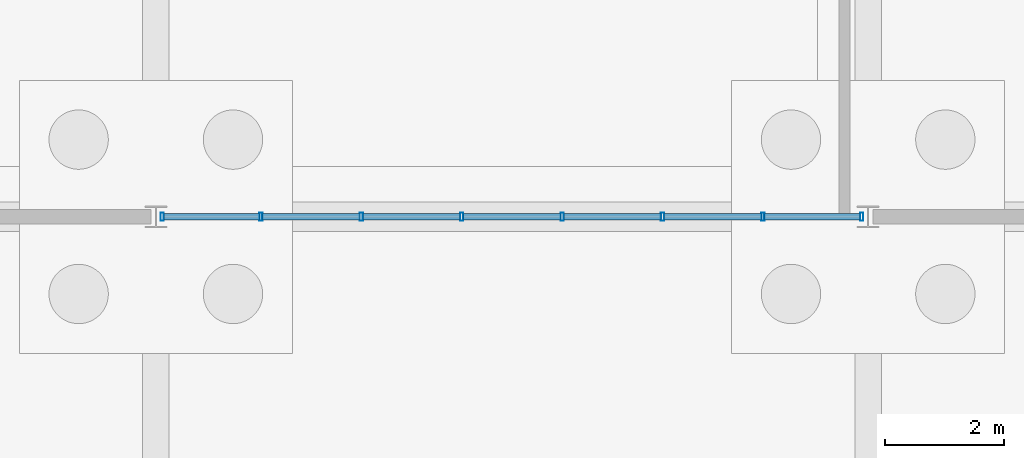
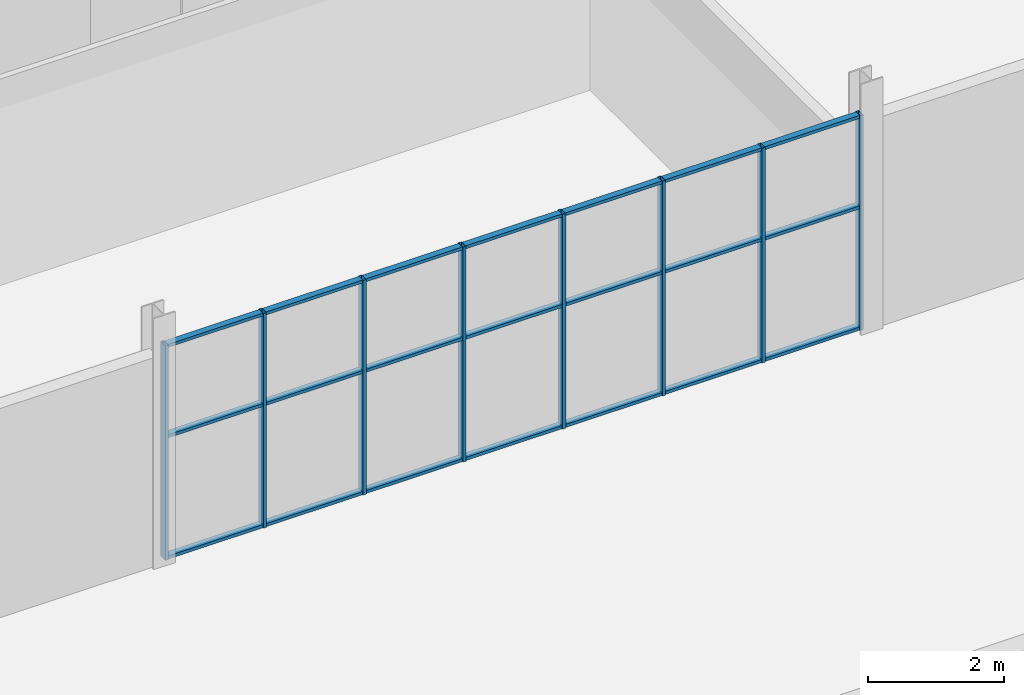
# One storey, part 75 of 136: 29 members, 1 element without a shape of its own.
"""IFC4 building model written with IfcOpenShell, lengths in metres."""

from ifc_helpers import new_model, si_unit, direction, frame, origin, origin_2d, place, context, subcontext, project, spatial, hollow_rectangle, extrude, material, layer, layer_set, material_profile, profile_set, type_object, element, aggregate, save


model = new_model("IFC4")

# Units and contexts
model_context = context("Model", 3, precision=1e-05, world=origin(), true_north=direction((0.0, 1.0)))
body_context = subcontext(model_context, "Body", "Model", "MODEL_VIEW")
ifc_project = project(units=[si_unit("LENGTHUNIT", "METRE"), si_unit("AREAUNIT", "SQUARE_METRE"), si_unit("VOLUMEUNIT", "CUBIC_METRE"), si_unit("PLANEANGLEUNIT", "RADIAN"), si_unit("MASSUNIT", "GRAM", prefix="KILO")], contexts=[model_context])

# Site, building, storey
site_placement = place(None, origin())
site = spatial("IfcSite", under=ifc_project, at=site_placement, CompositionType="ELEMENT")
building_placement = place(site_placement, origin())
building = spatial("IfcBuilding", under=site, at=building_placement, Name="Solvenia Promenade Tram Depot", CompositionType="ELEMENT")
storey_placement = place(building_placement, origin())
storey = spatial("IfcBuildingStorey", under=building, at=storey_placement, Name="L00", CompositionType="ELEMENT", Elevation=0.0)

# Curtain wall, members
ifc_material = material(Name="Anodized aluminium AW-6063 T6", Category="aluminium")
ifc_layer = layer(ifc_material, 0.179931640625, Name="Anodized aluminium AW-6063 T6", Category="aluminium")
ifc_layer_set = layer_set([ifc_layer], Name="Anodized aluminium AW-6063 T6")
curtain_wall_type = type_object("IfcCurtainWallType", Name="CW-Prom-1800", PredefinedType="NOTDEFINED", material=ifc_layer_set)
curtain_wall_placement = place(storey_placement, origin())
curtain_wall = element("IfcCurtainWall", 1, at=curtain_wall_placement, inside=storey, type_object=curtain_wall_type, Name="Curtain Wall CW-V5S-L0-04", PredefinedType="NOTDEFINED")
ifc_material_profile_1 = material_profile(ifc_material, hollow_rectangle(XDim=0.139892578125, YDim=0.054931640625, WallThickness=0.00390625, at=origin_2d()), Name="ALU-M4", Category="aluminium")
ifc_profile_set_1 = profile_set([ifc_material_profile_1], Name="Anodized aluminium AW-6063 T6")
member_type_1 = type_object("IfcMemberType", Name="CWM-Mullion-4", PredefinedType="MULLION", material=ifc_profile_set_1)
member_1_placement = place(storey_placement, frame((162.107421875, 8.0, 0.0), z_axis=(0.0, 0.0, 1.0), x_axis=(0.0, 1.0, 0.0)))
member_1 = element("IfcMember", 2, at=member_1_placement, type_object=member_type_1, Name="CW-9 mullion 1", PredefinedType="MULLION", context=body_context, shape_type="SweptSolid", body=[
    extrude(hollow_rectangle(XDim=0.139892578125, YDim=0.054931640625, WallThickness=0.00390625, at=origin_2d()), origin(), (0.0, 0.0, 1.0), 3.85009765625),
])
member_2_placement = place(storey_placement, frame((163.771484375, 8.0, 0.0), z_axis=(0.0, 0.0, 1.0), x_axis=(0.0, 1.0, 0.0)))
member_2 = element("IfcMember", 3, at=member_2_placement, type_object=member_type_1, Name="CW-9 mullion 2", PredefinedType="MULLION", context=body_context, shape_type="SweptSolid", body=[
    extrude(hollow_rectangle(XDim=0.139892578125, YDim=0.054931640625, WallThickness=0.00390625, at=origin_2d()), origin(), (0.0, 0.0, 1.0), 3.85009765625),
])
member_3_placement = place(storey_placement, frame((165.462890625, 8.0, 0.0), z_axis=(0.0, 0.0, 1.0), x_axis=(0.0, 1.0, 0.0)))
member_3 = element("IfcMember", 4, at=member_3_placement, type_object=member_type_1, Name="CW-9 mullion 3", PredefinedType="MULLION", context=body_context, shape_type="SweptSolid", body=[
    extrude(hollow_rectangle(XDim=0.139892578125, YDim=0.054931640625, WallThickness=0.00390625, at=origin_2d()), origin(), (0.0, 0.0, 1.0), 3.85009765625),
])
member_4_placement = place(storey_placement, frame((167.154296875, 8.0, 0.0), z_axis=(0.0, 0.0, 1.0), x_axis=(0.0, 1.0, 0.0)))
member_4 = element("IfcMember", 5, at=member_4_placement, type_object=member_type_1, Name="CW-9 mullion 4", PredefinedType="MULLION", context=body_context, shape_type="SweptSolid", body=[
    extrude(hollow_rectangle(XDim=0.139892578125, YDim=0.054931640625, WallThickness=0.00390625, at=origin_2d()), origin(), (0.0, 0.0, 1.0), 3.85009765625),
])
member_5_placement = place(storey_placement, frame((168.845703125, 8.0, 0.0), z_axis=(0.0, 0.0, 1.0), x_axis=(0.0, 1.0, 0.0)))
member_5 = element("IfcMember", 6, at=member_5_placement, type_object=member_type_1, Name="CW-9 mullion 5", PredefinedType="MULLION", context=body_context, shape_type="SweptSolid", body=[
    extrude(hollow_rectangle(XDim=0.139892578125, YDim=0.054931640625, WallThickness=0.00390625, at=origin_2d()), origin(), (0.0, 0.0, 1.0), 3.85009765625),
])
member_6_placement = place(storey_placement, frame((170.537109375, 8.0, 0.0), z_axis=(0.0, 0.0, 1.0), x_axis=(0.0, 1.0, 0.0)))
member_6 = element("IfcMember", 7, at=member_6_placement, type_object=member_type_1, Name="CW-9 mullion 6", PredefinedType="MULLION", context=body_context, shape_type="SweptSolid", body=[
    extrude(hollow_rectangle(XDim=0.139892578125, YDim=0.054931640625, WallThickness=0.00390625, at=origin_2d()), origin(), (0.0, 0.0, 1.0), 3.85009765625),
])
member_7_placement = place(storey_placement, frame((172.228515625, 8.0, 0.0), z_axis=(0.0, 0.0, 1.0), x_axis=(0.0, 1.0, 0.0)))
member_7 = element("IfcMember", 8, at=member_7_placement, type_object=member_type_1, Name="CW-9 mullion 7", PredefinedType="MULLION", context=body_context, shape_type="SweptSolid", body=[
    extrude(hollow_rectangle(XDim=0.139892578125, YDim=0.054931640625, WallThickness=0.00390625, at=origin_2d()), origin(), (0.0, 0.0, 1.0), 3.85009765625),
])
member_8_placement = place(storey_placement, frame((173.892578125, 8.0, 0.0), z_axis=(0.0, 0.0, 1.0), x_axis=(0.0, 1.0, 0.0)))
member_8 = element("IfcMember", 9, at=member_8_placement, type_object=member_type_1, Name="CW-9 mullion 8", PredefinedType="MULLION", context=body_context, shape_type="SweptSolid", body=[
    extrude(hollow_rectangle(XDim=0.139892578125, YDim=0.054931640625, WallThickness=0.00390625, at=origin_2d()), origin(), (0.0, 0.0, 1.0), 3.85009765625),
])
ifc_material_profile_2 = material_profile(ifc_material, hollow_rectangle(XDim=0.110107421875, YDim=0.054931640625, WallThickness=0.00390625, at=origin_2d()), Name="ALU-T4", Category="aluminium")
ifc_profile_set_2 = profile_set([ifc_material_profile_2], Name="Anodized aluminium AW-6063 T6")
member_type_2 = type_object("IfcMemberType", Name="CWT-Transom-4", PredefinedType="USERDEFINED", material=ifc_profile_set_2)
member_9_placement = place(storey_placement, frame((162.135009765625, 8.0, 0.027587890625), z_axis=(1.0, 0.0, 0.0), x_axis=(0.0, 1.0, 0.0)))
member_9 = element("IfcMember", 10, at=member_9_placement, type_object=member_type_2, Name="CW-9 transom 1.1", ObjectType="TRANSOM", PredefinedType="USERDEFINED", context=body_context, shape_type="SweptSolid", body=[
    extrude(hollow_rectangle(XDim=0.110107421875, YDim=0.054931640625, WallThickness=0.00390625, at=origin_2d()), origin(), (0.0, 0.0, 1.0), 1.60888671875),
])
member_10_placement = place(storey_placement, frame((162.135009765625, 8.0, 2.199951171875), z_axis=(1.0, 0.0, 0.0), x_axis=(0.0, 1.0, 0.0)))
member_10 = element("IfcMember", 11, at=member_10_placement, type_object=member_type_2, Name="CW-9 transom 1.2", ObjectType="TRANSOM", PredefinedType="USERDEFINED", context=body_context, shape_type="SweptSolid", body=[
    extrude(hollow_rectangle(XDim=0.110107421875, YDim=0.054931640625, WallThickness=0.00390625, at=origin_2d()), origin(), (0.0, 0.0, 1.0), 1.60888671875),
])
member_11_placement = place(storey_placement, frame((162.135009765625, 8.0, 3.822509765625), z_axis=(1.0, 0.0, 0.0), x_axis=(0.0, 1.0, 0.0)))
member_11 = element("IfcMember", 12, at=member_11_placement, type_object=member_type_2, Name="CW-9 transom 1.3", ObjectType="TRANSOM", PredefinedType="USERDEFINED", context=body_context, shape_type="SweptSolid", body=[
    extrude(hollow_rectangle(XDim=0.110107421875, YDim=0.054931640625, WallThickness=0.00390625, at=origin_2d()), origin(), (0.0, 0.0, 1.0), 1.60888671875),
])
member_12_placement = place(storey_placement, frame((163.798828125, 8.0, 0.027587890625), z_axis=(1.0, 0.0, 0.0), x_axis=(0.0, 1.0, 0.0)))
member_12 = element("IfcMember", 13, at=member_12_placement, type_object=member_type_2, Name="CW-9 transom 2.1", ObjectType="TRANSOM", PredefinedType="USERDEFINED", context=body_context, shape_type="SweptSolid", body=[
    extrude(hollow_rectangle(XDim=0.110107421875, YDim=0.054931640625, WallThickness=0.00390625, at=origin_2d()), origin(), (0.0, 0.0, 1.0), 1.636474609375),
])
member_13_placement = place(storey_placement, frame((163.798828125, 8.0, 2.199951171875), z_axis=(1.0, 0.0, 0.0), x_axis=(0.0, 1.0, 0.0)))
member_13 = element("IfcMember", 14, at=member_13_placement, type_object=member_type_2, Name="CW-9 transom 2.2", ObjectType="TRANSOM", PredefinedType="USERDEFINED", context=body_context, shape_type="SweptSolid", body=[
    extrude(hollow_rectangle(XDim=0.110107421875, YDim=0.054931640625, WallThickness=0.00390625, at=origin_2d()), origin(), (0.0, 0.0, 1.0), 1.636474609375),
])
member_14_placement = place(storey_placement, frame((163.798828125, 8.0, 3.822509765625), z_axis=(1.0, 0.0, 0.0), x_axis=(0.0, 1.0, 0.0)))
member_14 = element("IfcMember", 15, at=member_14_placement, type_object=member_type_2, Name="CW-9 transom 2.3", ObjectType="TRANSOM", PredefinedType="USERDEFINED", context=body_context, shape_type="SweptSolid", body=[
    extrude(hollow_rectangle(XDim=0.110107421875, YDim=0.054931640625, WallThickness=0.00390625, at=origin_2d()), origin(), (0.0, 0.0, 1.0), 1.636474609375),
])
member_15_placement = place(storey_placement, frame((165.490478515625, 8.0, 0.027587890625), z_axis=(1.0, 0.0, 0.0), x_axis=(0.0, 1.0, 0.0)))
member_15 = element("IfcMember", 16, at=member_15_placement, type_object=member_type_2, Name="CW-9 transom 3.1", ObjectType="TRANSOM", PredefinedType="USERDEFINED", context=body_context, shape_type="SweptSolid", body=[
    extrude(hollow_rectangle(XDim=0.110107421875, YDim=0.054931640625, WallThickness=0.00390625, at=origin_2d()), origin(), (0.0, 0.0, 1.0), 1.63623046875),
])
member_16_placement = place(storey_placement, frame((165.490478515625, 8.0, 2.199951171875), z_axis=(1.0, 0.0, 0.0), x_axis=(0.0, 1.0, 0.0)))
member_16 = element("IfcMember", 17, at=member_16_placement, type_object=member_type_2, Name="CW-9 transom 3.2", ObjectType="TRANSOM", PredefinedType="USERDEFINED", context=body_context, shape_type="SweptSolid", body=[
    extrude(hollow_rectangle(XDim=0.110107421875, YDim=0.054931640625, WallThickness=0.00390625, at=origin_2d()), origin(), (0.0, 0.0, 1.0), 1.63623046875),
])
member_17_placement = place(storey_placement, frame((165.490478515625, 8.0, 3.822509765625), z_axis=(1.0, 0.0, 0.0), x_axis=(0.0, 1.0, 0.0)))
member_17 = element("IfcMember", 18, at=member_17_placement, type_object=member_type_2, Name="CW-9 transom 3.3", ObjectType="TRANSOM", PredefinedType="USERDEFINED", context=body_context, shape_type="SweptSolid", body=[
    extrude(hollow_rectangle(XDim=0.110107421875, YDim=0.054931640625, WallThickness=0.00390625, at=origin_2d()), origin(), (0.0, 0.0, 1.0), 1.63623046875),
])
member_18_placement = place(storey_placement, frame((167.181884765625, 8.0, 0.027587890625), z_axis=(1.0, 0.0, 0.0), x_axis=(0.0, 1.0, 0.0)))
member_18 = element("IfcMember", 19, at=member_18_placement, type_object=member_type_2, Name="CW-9 transom 4.1", ObjectType="TRANSOM", PredefinedType="USERDEFINED", context=body_context, shape_type="SweptSolid", body=[
    extrude(hollow_rectangle(XDim=0.110107421875, YDim=0.054931640625, WallThickness=0.00390625, at=origin_2d()), origin(), (0.0, 0.0, 1.0), 1.63623046875),
])
member_19_placement = place(storey_placement, frame((167.181884765625, 8.0, 2.199951171875), z_axis=(1.0, 0.0, 0.0), x_axis=(0.0, 1.0, 0.0)))
member_19 = element("IfcMember", 20, at=member_19_placement, type_object=member_type_2, Name="CW-9 transom 4.2", ObjectType="TRANSOM", PredefinedType="USERDEFINED", context=body_context, shape_type="SweptSolid", body=[
    extrude(hollow_rectangle(XDim=0.110107421875, YDim=0.054931640625, WallThickness=0.00390625, at=origin_2d()), origin(), (0.0, 0.0, 1.0), 1.63623046875),
])
member_20_placement = place(storey_placement, frame((167.181884765625, 8.0, 3.822509765625), z_axis=(1.0, 0.0, 0.0), x_axis=(0.0, 1.0, 0.0)))
member_20 = element("IfcMember", 21, at=member_20_placement, type_object=member_type_2, Name="CW-9 transom 4.3", ObjectType="TRANSOM", PredefinedType="USERDEFINED", context=body_context, shape_type="SweptSolid", body=[
    extrude(hollow_rectangle(XDim=0.110107421875, YDim=0.054931640625, WallThickness=0.00390625, at=origin_2d()), origin(), (0.0, 0.0, 1.0), 1.63623046875),
])
member_21_placement = place(storey_placement, frame((168.873291015625, 8.0, 0.027587890625), z_axis=(1.0, 0.0, 0.0), x_axis=(0.0, 1.0, 0.0)))
member_21 = element("IfcMember", 22, at=member_21_placement, type_object=member_type_2, Name="CW-9 transom 5.1", ObjectType="TRANSOM", PredefinedType="USERDEFINED", context=body_context, shape_type="SweptSolid", body=[
    extrude(hollow_rectangle(XDim=0.110107421875, YDim=0.054931640625, WallThickness=0.00390625, at=origin_2d()), origin(), (0.0, 0.0, 1.0), 1.63623046875),
])
member_22_placement = place(storey_placement, frame((168.873291015625, 8.0, 2.199951171875), z_axis=(1.0, 0.0, 0.0), x_axis=(0.0, 1.0, 0.0)))
member_22 = element("IfcMember", 23, at=member_22_placement, type_object=member_type_2, Name="CW-9 transom 5.2", ObjectType="TRANSOM", PredefinedType="USERDEFINED", context=body_context, shape_type="SweptSolid", body=[
    extrude(hollow_rectangle(XDim=0.110107421875, YDim=0.054931640625, WallThickness=0.00390625, at=origin_2d()), origin(), (0.0, 0.0, 1.0), 1.63623046875),
])
member_23_placement = place(storey_placement, frame((168.873291015625, 8.0, 3.822509765625), z_axis=(1.0, 0.0, 0.0), x_axis=(0.0, 1.0, 0.0)))
member_23 = element("IfcMember", 24, at=member_23_placement, type_object=member_type_2, Name="CW-9 transom 5.3", ObjectType="TRANSOM", PredefinedType="USERDEFINED", context=body_context, shape_type="SweptSolid", body=[
    extrude(hollow_rectangle(XDim=0.110107421875, YDim=0.054931640625, WallThickness=0.00390625, at=origin_2d()), origin(), (0.0, 0.0, 1.0), 1.63623046875),
])
member_24_placement = place(storey_placement, frame((170.564697265625, 8.0, 0.027587890625), z_axis=(1.0, 0.0, 0.0), x_axis=(0.0, 1.0, 0.0)))
member_24 = element("IfcMember", 25, at=member_24_placement, type_object=member_type_2, Name="CW-9 transom 6.1", ObjectType="TRANSOM", PredefinedType="USERDEFINED", context=body_context, shape_type="SweptSolid", body=[
    extrude(hollow_rectangle(XDim=0.110107421875, YDim=0.054931640625, WallThickness=0.00390625, at=origin_2d()), origin(), (0.0, 0.0, 1.0), 1.636474609375),
])
member_25_placement = place(storey_placement, frame((170.564697265625, 8.0, 2.199951171875), z_axis=(1.0, 0.0, 0.0), x_axis=(0.0, 1.0, 0.0)))
member_25 = element("IfcMember", 26, at=member_25_placement, type_object=member_type_2, Name="CW-9 transom 6.2", ObjectType="TRANSOM", PredefinedType="USERDEFINED", context=body_context, shape_type="SweptSolid", body=[
    extrude(hollow_rectangle(XDim=0.110107421875, YDim=0.054931640625, WallThickness=0.00390625, at=origin_2d()), origin(), (0.0, 0.0, 1.0), 1.636474609375),
])
member_26_placement = place(storey_placement, frame((170.564697265625, 8.0, 3.822509765625), z_axis=(1.0, 0.0, 0.0), x_axis=(0.0, 1.0, 0.0)))
member_26 = element("IfcMember", 27, at=member_26_placement, type_object=member_type_2, Name="CW-9 transom 6.3", ObjectType="TRANSOM", PredefinedType="USERDEFINED", context=body_context, shape_type="SweptSolid", body=[
    extrude(hollow_rectangle(XDim=0.110107421875, YDim=0.054931640625, WallThickness=0.00390625, at=origin_2d()), origin(), (0.0, 0.0, 1.0), 1.636474609375),
])
member_27_placement = place(storey_placement, frame((172.256103515625, 8.0, 0.027587890625), z_axis=(1.0, 0.0, 0.0), x_axis=(0.0, 1.0, 0.0)))
member_27 = element("IfcMember", 28, at=member_27_placement, type_object=member_type_2, Name="CW-9 transom 7.1", ObjectType="TRANSOM", PredefinedType="USERDEFINED", context=body_context, shape_type="SweptSolid", body=[
    extrude(hollow_rectangle(XDim=0.110107421875, YDim=0.054931640625, WallThickness=0.00390625, at=origin_2d()), origin(), (0.0, 0.0, 1.0), 1.60888671875),
])
member_28_placement = place(storey_placement, frame((172.256103515625, 8.0, 2.199951171875), z_axis=(1.0, 0.0, 0.0), x_axis=(0.0, 1.0, 0.0)))
member_28 = element("IfcMember", 29, at=member_28_placement, type_object=member_type_2, Name="CW-9 transom 7.2", ObjectType="TRANSOM", PredefinedType="USERDEFINED", context=body_context, shape_type="SweptSolid", body=[
    extrude(hollow_rectangle(XDim=0.110107421875, YDim=0.054931640625, WallThickness=0.00390625, at=origin_2d()), origin(), (0.0, 0.0, 1.0), 1.60888671875),
])
member_29_placement = place(storey_placement, frame((172.256103515625, 8.0, 3.822509765625), z_axis=(1.0, 0.0, 0.0), x_axis=(0.0, 1.0, 0.0)))
member_29 = element("IfcMember", 30, at=member_29_placement, type_object=member_type_2, Name="CW-9 transom 7.3", ObjectType="TRANSOM", PredefinedType="USERDEFINED", context=body_context, shape_type="SweptSolid", body=[
    extrude(hollow_rectangle(XDim=0.110107421875, YDim=0.054931640625, WallThickness=0.00390625, at=origin_2d()), origin(), (0.0, 0.0, 1.0), 1.60888671875),
])
aggregate(curtain_wall, [member_1, member_2, member_3, member_4, member_5, member_6, member_7, member_8, member_9, member_10, member_11, member_12, member_13, member_14, member_15, member_16, member_17, member_18, member_19, member_20, member_21, member_22, member_23, member_24, member_25, member_26, member_27, member_28, member_29])

save(model, "model.ifc")
